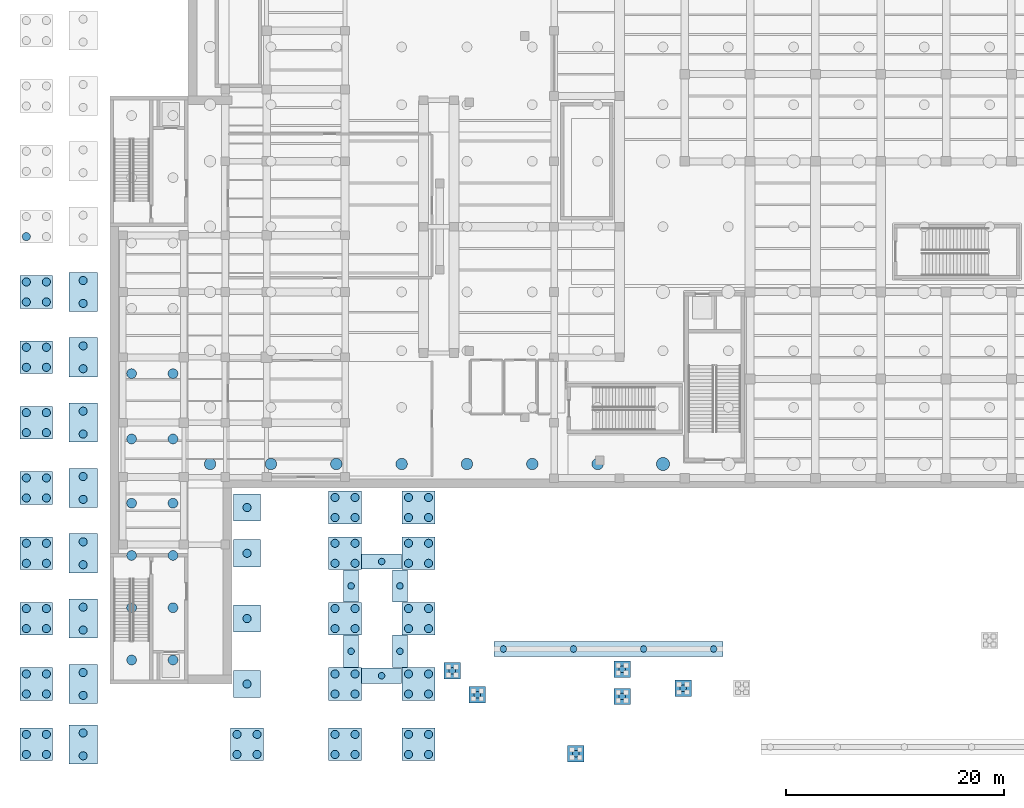
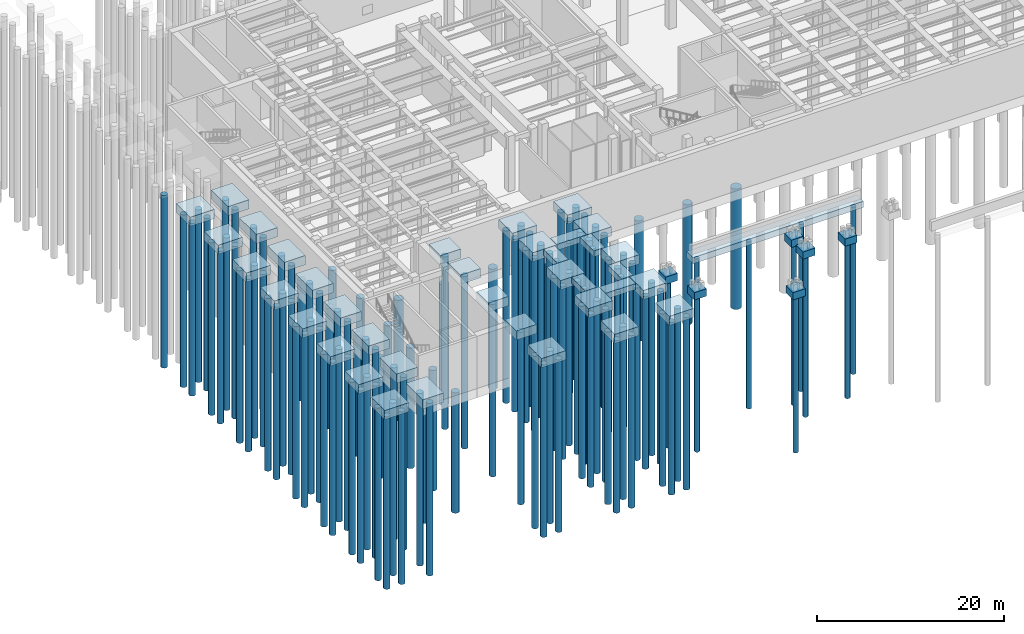
# One storey, part 1 of 30: 133 piles, 44 footings.
"""IFC4 building model written with IfcOpenShell, lengths in metres."""

from ifc_helpers import new_model, si_unit, direction, frame, origin, origin_2d, place, context, subcontext, project, spatial, rectangle, circle, extrude, material, material_profile, profile_set, type_object, element, save


model = new_model("IFC4")

# Units and contexts
model_context = context("Model", 3, precision=1e-05, world=origin(), true_north=direction((0.0, 1.0)))
body_context = subcontext(model_context, "Body", "Model", "MODEL_VIEW")
ifc_project = project(units=[si_unit("LENGTHUNIT", "METRE"), si_unit("AREAUNIT", "SQUARE_METRE"), si_unit("VOLUMEUNIT", "CUBIC_METRE"), si_unit("PLANEANGLEUNIT", "RADIAN"), si_unit("MASSUNIT", "GRAM", prefix="KILO")], contexts=[model_context])

# Site, building, storey
site_placement = place(None, origin())
site = spatial("IfcSite", under=ifc_project, at=site_placement, CompositionType="ELEMENT")
building_placement = place(site_placement, origin())
building = spatial("IfcBuilding", under=site, at=building_placement, Name="Kolvaren Corner Interchange", CompositionType="ELEMENT")
storey_placement = place(building_placement, frame((0.0, 0.0, -7.199951171875)))
storey = spatial("IfcBuildingStorey", under=building, at=storey_placement, Name="B1", CompositionType="ELEMENT", Elevation=-7.199951171875)

# Footings
ifc_material_1 = material(Name="Concrete C40/50", Category="concrete")
footing_type_1 = type_object("IfcFootingType", Name="FC-3P", PredefinedType="PILE_CAP", material=ifc_material_1)
for number, where, z_axis, x_axis, name in (
    (1, (4.75, 0.449951171875, 5.60009765625), (0.0, 0.0, 1.0), (1.0, 0.0, 0.0), "Reinforced Concrete Foundation Pile Cap 016"),
    (2, (4.75, 6.0, 5.60009765625), (0.0, 0.0, 1.0), (1.0, 0.0, 0.0), "Reinforced Concrete Foundation Pile Cap 017"),
    (3, (4.75, 12.0, 5.60009765625), (0.0, 0.0, 1.0), (1.0, 0.0, 0.0), "Reinforced Concrete Foundation Pile Cap 018"),
    (4, (4.75, 18.0, 5.60009765625), (0.0, 0.0, 1.0), (1.0, 0.0, 0.0), "Reinforced Concrete Foundation Pile Cap 019"),
    (5, (4.75, 24.0, 5.60009765625), (0.0, 0.0, 1.0), (1.0, 0.0, 0.0), "Reinforced Concrete Foundation Pile Cap 020"),
    (6, (4.75, 30.0, 5.60009765625), (0.0, 0.0, 1.0), (1.0, 0.0, 0.0), "Reinforced Concrete Foundation Pile Cap 021"),
    (7, (4.75, 36.0, 5.60009765625), (0.0, 0.0, 1.0), (1.0, 0.0, 0.0), "Reinforced Concrete Foundation Pile Cap 022"),
    (8, (4.75, 42.0, 5.60009765625), (0.0, 0.0, 1.0), (1.0, 0.0, 0.0), "Reinforced Concrete Foundation Pile Cap 023"),
):
    element("IfcFooting", number, at=place(storey_placement, frame(where, z_axis=z_axis, x_axis=x_axis)), inside=storey, type_object=footing_type_1, Name=name, PredefinedType="PILE_CAP", context=body_context, shape_type="SweptSolid", body=[
        extrude(rectangle(XDim=2.60009765625, YDim=3.60009765625, at=origin_2d()), origin(), (0.0, 0.0, 1.0), 1.199951171875),
    ])
ifc_material_2 = material(Name="Concrete C40/50", Category="concrete")
footing_type_2 = type_object("IfcFootingType", Name="FC-4P", PredefinedType="PILE_CAP", material=ifc_material_2)
for number, where, z_axis, x_axis, name in (
    (9, (0.449951171875, 0.449951171875, 5.60009765625), (0.0, 0.0, 1.0), (1.0, 0.0, 0.0), "Reinforced Concrete Foundation Pile Cap 001"),
    (10, (0.449951171875, 6.0, 5.60009765625), (0.0, 0.0, 1.0), (1.0, 0.0, 0.0), "Reinforced Concrete Foundation Pile Cap 002"),
    (11, (0.449951171875, 12.0, 5.60009765625), (0.0, 0.0, 1.0), (1.0, 0.0, 0.0), "Reinforced Concrete Foundation Pile Cap 003"),
    (12, (0.449951171875, 18.0, 5.60009765625), (0.0, 0.0, 1.0), (1.0, 0.0, 0.0), "Reinforced Concrete Foundation Pile Cap 004"),
    (13, (0.449951171875, 24.0, 5.60009765625), (0.0, 0.0, 1.0), (1.0, 0.0, 0.0), "Reinforced Concrete Foundation Pile Cap 005"),
    (14, (0.449951171875, 30.0, 5.60009765625), (0.0, 0.0, 1.0), (1.0, 0.0, 0.0), "Reinforced Concrete Foundation Pile Cap 006"),
    (15, (0.449951171875, 36.0, 5.60009765625), (0.0, 0.0, 1.0), (1.0, 0.0, 0.0), "Reinforced Concrete Foundation Pile Cap 007"),
    (16, (0.449951171875, 42.0, 5.60009765625), (0.0, 0.0, 1.0), (1.0, 0.0, 0.0), "Reinforced Concrete Foundation Pile Cap 008"),
    (17, (19.800048828125, 0.449951171875, 5.60009765625), (0.0, 0.0, 1.0), (1.0, 0.0, 0.0), "Reinforced Concrete Foundation Pile Cap 031"),
    (18, (28.800048828125, 0.449951171875, 5.60009765625), (0.0, 0.0, 1.0), (1.0, 0.0, 0.0), "Reinforced Concrete Foundation Pile Cap 036"),
    (19, (28.800048828125, 6.0, 5.60009765625), (0.0, 0.0, 1.0), (1.0, 0.0, 0.0), "Reinforced Concrete Foundation Pile Cap 037"),
    (20, (28.800048828125, 12.0, 5.60009765625), (0.0, 0.0, 1.0), (1.0, 0.0, 0.0), "Reinforced Concrete Foundation Pile Cap 038"),
    (21, (28.800048828125, 18.0, 5.60009765625), (0.0, 0.0, 1.0), (1.0, 0.0, 0.0), "Reinforced Concrete Foundation Pile Cap 039"),
    (22, (28.800048828125, 22.199951171875, 5.60009765625), (0.0, 0.0, 1.0), (1.0, 0.0, 0.0), "Reinforced Concrete Foundation Pile Cap 040"),
    (23, (35.550048828125, 0.449951171875, 5.60009765625), (0.0, 0.0, 1.0), (1.0, 0.0, 0.0), "Reinforced Concrete Foundation Pile Cap 041"),
    (24, (35.550048828125, 6.0, 5.60009765625), (0.0, 0.0, 1.0), (1.0, 0.0, 0.0), "Reinforced Concrete Foundation Pile Cap 042"),
    (25, (35.550048828125, 12.0, 5.60009765625), (0.0, 0.0, 1.0), (1.0, 0.0, 0.0), "Reinforced Concrete Foundation Pile Cap 043"),
    (26, (35.550048828125, 18.0, 5.60009765625), (0.0, 0.0, 1.0), (1.0, 0.0, 0.0), "Reinforced Concrete Foundation Pile Cap 044"),
    (27, (35.550048828125, 22.199951171875, 5.60009765625), (0.0, 0.0, 1.0), (1.0, 0.0, 0.0), "Reinforced Concrete Foundation Pile Cap 045"),
):
    element("IfcFooting", number, at=place(storey_placement, frame(where, z_axis=z_axis, x_axis=x_axis)), inside=storey, type_object=footing_type_2, Name=name, PredefinedType="PILE_CAP", context=body_context, shape_type="SweptSolid", body=[
        extrude(rectangle(XDim=3.0, YDim=3.0, at=origin_2d()), origin(), (0.0, 0.0, 1.0), 1.199951171875),
    ])
ifc_material_3 = material(Name="Concrete C40/50", Category="concrete")
footing_type_3 = type_object("IfcFootingType", Name="FD-PAD2", PredefinedType="PAD_FOOTING", material=ifc_material_3)
for number, where, z_axis, x_axis, name in (
    (28, (19.800048828125, 6.0, 5.60009765625), (0.0, 0.0, 1.0), (1.0, 0.0, 0.0), "Reinforced Concrete Foundation Pile Cap 032"),
    (29, (19.800048828125, 12.0, 5.60009765625), (0.0, 0.0, 1.0), (1.0, 0.0, 0.0), "Reinforced Concrete Foundation Pile Cap 033"),
    (30, (19.800048828125, 18.0, 5.60009765625), (0.0, 0.0, 1.0), (1.0, 0.0, 0.0), "Reinforced Concrete Foundation Pile Cap 034"),
    (31, (19.800048828125, 22.199951171875, 5.60009765625), (0.0, 0.0, 1.0), (1.0, 0.0, 0.0), "Reinforced Concrete Foundation Pile Cap 035"),
):
    element("IfcFooting", number, at=place(storey_placement, frame(where, z_axis=z_axis, x_axis=x_axis)), inside=storey, type_object=footing_type_3, Name=name, PredefinedType="PAD_FOOTING", context=body_context, shape_type="SweptSolid", body=[
        extrude(rectangle(XDim=2.5, YDim=2.5, at=origin_2d()), origin(), (0.0, 0.0, 1.0), 1.199951171875),
    ])
ifc_material_4 = material(Name="Concrete C40/50", Category="concrete")
footing_type_4 = type_object("IfcFootingType", Name="FD-PAD4", PredefinedType="PAD_FOOTING", material=ifc_material_4)
for number, where, z_axis, x_axis, name in (
    (32, (50.0, -0.39990234375, 3.669921875), (0.0, 0.0, 1.0), (1.0, 0.0, 0.0), "Reinforced Concrete Foundation Pile Cap 141"),
    (33, (59.85009765625, 5.60009765625, 3.56005859375), (0.0, 0.0, 1.0), (1.0, 0.0, 0.0), "Reinforced Concrete Foundation Pile Cap 143"),
    (34, (38.64990234375, 7.199951171875, 5.06005859375), (0.0, 0.0, 1.0), (1.0, 0.0, 0.0), "Reinforced Concrete Foundation Pile Cap 147"),
    (35, (40.949951171875, 5.0, 3.56005859375), (0.0, 0.0, 1.0), (1.0, 0.0, 0.0), "Reinforced Concrete Foundation Pile Cap 148"),
    (36, (54.25, 4.85009765625, 4.31005859375), (0.0, 0.0, 1.0), (1.0, 0.0, 0.0), "Reinforced Concrete Foundation Pile Cap 149"),
    (37, (54.25, 7.35009765625, 4.31005859375), (0.0, 0.0, 1.0), (1.0, 0.0, 0.0), "Reinforced Concrete Foundation Pile Cap 150"),
):
    element("IfcFooting", number, at=place(storey_placement, frame(where, z_axis=z_axis, x_axis=x_axis)), inside=storey, type_object=footing_type_4, Name=name, PredefinedType="PAD_FOOTING", context=body_context, shape_type="SweptSolid", body=[
        extrude(rectangle(XDim=1.5, YDim=1.5, at=origin_2d()), origin(), (0.0, 0.0, 1.0), 0.949951171875),
    ])
ifc_material_5 = material(Name="Concrete C40/50", Category="concrete")
ifc_material_profile_1 = material_profile(ifc_material_5, rectangle(XDim=1.39990234375, YDim=0.800048828125, at=origin_2d()), Name="STRIP 1400x800")
ifc_profile_set_1 = profile_set([ifc_material_profile_1], Name="Concrete C40/50")
footing_type_5 = type_object("IfcFootingType", Name="FS-STRIP1", PredefinedType="STRIP_FOOTING", material=ifc_profile_set_1)
footing_placement = place(storey_placement, frame((42.5, 9.2099609375, 5.300048828125), z_axis=(1.0, 0.0, 0.0), x_axis=(0.0, 1.0, 0.0)))
element("IfcFooting", 38, at=footing_placement, inside=storey, type_object=footing_type_5, Name="Southwest Forecourt Ramp Plinth Strip Footing", PredefinedType="STRIP_FOOTING", context=body_context, shape_type="SweptSolid", body=[
    extrude(rectangle(XDim=1.39990234375, YDim=0.800048828125, at=origin_2d()), origin(), (0.0, 0.0, 1.0), 21.0),
])
for number, where, z_axis, x_axis, name in (
    (39, (30.320068359375, 6.7548828125, 6.39990234375), (1.0, 0.0, 0.0), (0.0, 1.0, 0.0), "Operations South Bar Protected Exit Stair South Strip Footing"),
    (40, (30.320068359375, 17.2451171875, 6.39990234375), (1.0, 0.0, 0.0), (0.0, 1.0, 0.0), "Operations South Bar Protected Exit Stair North Strip Footing"),
):
    element("IfcFooting", number, at=place(storey_placement, frame(where, z_axis=z_axis, x_axis=x_axis)), inside=storey, type_object=footing_type_5, Name=name, PredefinedType="STRIP_FOOTING", context=body_context, shape_type="SweptSolid", body=[
        extrude(rectangle(XDim=1.39990234375, YDim=0.800048828125, at=origin_2d()), origin(), (0.0, 0.0, 1.0), 3.679931640625),
    ])
for number, where, z_axis, x_axis, name in (
    (41, (29.35498046875, 7.52001953125, 6.39990234375), (0.0, 1.0, 0.0), (-1.0, 0.0, 0.0), "Operations South Bar Protected Exit Stair West Strip Footing Segment 1"),
    (42, (29.35498046875, 13.52001953125, 6.39990234375), (0.0, 1.0, 0.0), (-1.0, 0.0, 0.0), "Operations South Bar Protected Exit Stair West Strip Footing Segment 2"),
    (43, (33.844970703125, 7.52001953125, 6.39990234375), (0.0, 1.0, 0.0), (-1.0, 0.0, 0.0), "Operations South Bar Protected Exit Stair East Strip Footing Segment 1"),
    (44, (33.844970703125, 13.52001953125, 6.39990234375), (0.0, 1.0, 0.0), (-1.0, 0.0, 0.0), "Operations South Bar Protected Exit Stair East Strip Footing Segment 2"),
):
    element("IfcFooting", number, at=place(storey_placement, frame(where, z_axis=z_axis, x_axis=x_axis)), inside=storey, type_object=footing_type_5, Name=name, PredefinedType="STRIP_FOOTING", context=body_context, shape_type="SweptSolid", body=[
        extrude(rectangle(XDim=1.39990234375, YDim=0.800048828125, at=origin_2d()), origin(), (0.0, 0.0, 1.0), 2.9599609375),
    ])

# Piles
ifc_material_6 = material(Name="Concrete C40/50", Category="concrete")
ifc_material_profile_2 = material_profile(ifc_material_6, circle(Radius=0.52490234375, at=origin_2d()), Name="BORED PILE 1050")
ifc_profile_set_2 = profile_set([ifc_material_profile_2], Name="Concrete C40/50")
pile_type_1 = type_object("IfcPileType", Name="PILE-BP1050", PredefinedType="BORED", material=ifc_profile_set_2)
for number, where, z_axis, x_axis, name in (
    (45, (16.39990234375, 26.199951171875, -1.10009765625), (0.0, 0.0, -1.0), (1.0, 0.0, 0.0), "Metro Base Raft Rotary Bored Pile 0001"),
    (46, (22.0, 26.199951171875, -1.10009765625), (0.0, 0.0, -1.0), (1.0, 0.0, 0.0), "Metro Base Raft Rotary Bored Pile 0010"),
    (47, (28.0, 26.199951171875, -1.10009765625), (0.0, 0.0, -1.0), (1.0, 0.0, 0.0), "Metro Base Raft Rotary Bored Pile 0019"),
    (48, (34.0, 26.199951171875, -1.10009765625), (0.0, 0.0, -1.0), (1.0, 0.0, 0.0), "Metro Base Raft Rotary Bored Pile 0028"),
    (49, (40.0, 26.199951171875, -1.10009765625), (0.0, 0.0, -1.0), (1.0, 0.0, 0.0), "Metro Base Raft Rotary Bored Pile 0037"),
    (50, (46.0, 26.199951171875, -1.10009765625), (0.0, 0.0, -1.0), (1.0, 0.0, 0.0), "Metro Base Raft Rotary Bored Pile 0046"),
    (51, (52.0, 26.199951171875, -1.10009765625), (0.0, 0.0, -1.0), (1.0, 0.0, 0.0), "Metro Base Raft Rotary Bored Pile 0055"),
):
    element("IfcPile", number, at=place(storey_placement, frame(where, z_axis=z_axis, x_axis=x_axis)), inside=storey, type_object=pile_type_1, Name=name, PredefinedType="BORED", context=body_context, shape_type="SweptSolid", body=[
        extrude(circle(Radius=0.52490234375, at=origin_2d()), origin(), (0.0, 0.0, 1.0), 15.699951171875),
    ])
ifc_material_7 = material(Name="Concrete C40/50", Category="concrete")
ifc_material_profile_3 = material_profile(ifc_material_7, circle(Radius=0.60009765625, at=origin_2d()), Name="BORED PILE 1200")
ifc_profile_set_3 = profile_set([ifc_material_profile_3], Name="Concrete C40/50")
pile_type_2 = type_object("IfcPileType", Name="PILE-BP1200", PredefinedType="BORED", material=ifc_profile_set_3)
pile_1_placement = place(storey_placement, frame((58.0, 26.199951171875, -1.10009765625), z_axis=(0.0, 0.0, -1.0), x_axis=(1.0, 0.0, 0.0)))
element("IfcPile", 52, at=pile_1_placement, inside=storey, type_object=pile_type_2, Name="Metro Base Raft Rotary Bored Pile 0064", PredefinedType="BORED", context=body_context, shape_type="SweptSolid", body=[
    extrude(circle(Radius=0.60009765625, at=origin_2d()), origin(), (0.0, 0.0, 1.0), 15.699951171875),
])
ifc_material_8 = material(Name="Concrete C40/50", Category="concrete")
ifc_material_profile_4 = material_profile(ifc_material_8, circle(Radius=0.300048828125, at=origin_2d()), Name="BORED PILE 600")
ifc_profile_set_4 = profile_set([ifc_material_profile_4], Name="Concrete C40/50")
pile_type_3 = type_object("IfcPileType", Name="PILE-BP600", PredefinedType="BORED", material=ifc_profile_set_4)
for number, where, z_axis, x_axis, name in (
    (53, (43.35009765625, 9.2099609375, 5.0), (0.0, 0.0, -1.0), (1.0, 0.0, 0.0), "Southwest Forecourt Ramp Plinth Strip Footing Bored Pile 022"),
    (54, (49.783203125, 9.2099609375, 5.0), (0.0, 0.0, -1.0), (1.0, 0.0, 0.0), "Southwest Forecourt Ramp Plinth Strip Footing Bored Pile 023"),
    (55, (56.216796875, 9.2099609375, 5.0), (0.0, 0.0, -1.0), (1.0, 0.0, 0.0), "Southwest Forecourt Ramp Plinth Strip Footing Bored Pile 024"),
    (56, (62.64990234375, 9.2099609375, 5.0), (0.0, 0.0, -1.0), (1.0, 0.0, 0.0), "Southwest Forecourt Ramp Plinth Strip Footing Bored Pile 025"),
):
    element("IfcPile", number, at=place(storey_placement, frame(where, z_axis=z_axis, x_axis=x_axis)), inside=storey, type_object=pile_type_3, Name=name, PredefinedType="BORED", context=body_context, shape_type="SweptSolid", body=[
        extrude(circle(Radius=0.300048828125, at=origin_2d()), origin(), (0.0, 0.0, 1.0), 21.800048828125),
    ])
for number, where, z_axis, x_axis, name in (
    (57, (32.159912109375, 6.7548828125, 6.099853515625), (0.0, 0.0, -1.0), (1.0, 0.0, 0.0), "Operations South Bar Protected Exit Stair South Bored Pile 001"),
    (58, (32.159912109375, 17.2451171875, 6.099853515625), (0.0, 0.0, -1.0), (1.0, 0.0, 0.0), "Operations South Bar Protected Exit Stair North Bored Pile 002"),
    (59, (29.35498046875, 9.0, 6.099853515625), (0.0, 0.0, -1.0), (1.0, 0.0, 0.0), "Operations South Bar Protected Exit Stair West Bored Pile 003"),
    (60, (29.35498046875, 15.0, 6.099853515625), (0.0, 0.0, -1.0), (1.0, 0.0, 0.0), "Operations South Bar Protected Exit Stair West Bored Pile 004"),
    (61, (33.844970703125, 9.0, 6.099853515625), (0.0, 0.0, -1.0), (1.0, 0.0, 0.0), "Operations South Bar Protected Exit Stair East Bored Pile 005"),
    (62, (33.844970703125, 15.0, 6.099853515625), (0.0, 0.0, -1.0), (1.0, 0.0, 0.0), "Operations South Bar Protected Exit Stair East Bored Pile 006"),
):
    element("IfcPile", number, at=place(storey_placement, frame(where, z_axis=z_axis, x_axis=x_axis)), inside=storey, type_object=pile_type_3, Name=name, PredefinedType="BORED", context=body_context, shape_type="SweptSolid", body=[
        extrude(circle(Radius=0.300048828125, at=origin_2d()), origin(), (0.0, 0.0, 1.0), 22.89990234375),
    ])
pile_2_placement = place(storey_placement, frame((50.0, -0.39990234375, 3.77001953125), z_axis=(0.0, 0.0, -1.0), x_axis=(1.0, 0.0, 0.0)))
element("IfcPile", 63, at=pile_2_placement, inside=storey, type_object=pile_type_3, Name="Pile Cap Rotary Bored Pile 0518", PredefinedType="BORED", context=body_context, shape_type="SweptSolid", body=[
    extrude(circle(Radius=0.300048828125, at=origin_2d()), origin(), (0.0, 0.0, 1.0), 20.570068359375),
])
pile_3_placement = place(storey_placement, frame((59.85009765625, 5.60009765625, 3.659912109375), z_axis=(0.0, 0.0, -1.0), x_axis=(1.0, 0.0, 0.0)))
element("IfcPile", 64, at=pile_3_placement, inside=storey, type_object=pile_type_3, Name="Pile Cap Rotary Bored Pile 0520", PredefinedType="BORED", context=body_context, shape_type="SweptSolid", body=[
    extrude(circle(Radius=0.300048828125, at=origin_2d()), origin(), (0.0, 0.0, 1.0), 20.4599609375),
])
pile_4_placement = place(storey_placement, frame((38.64990234375, 7.199951171875, 5.159912109375), z_axis=(0.0, 0.0, -1.0), x_axis=(1.0, 0.0, 0.0)))
element("IfcPile", 65, at=pile_4_placement, inside=storey, type_object=pile_type_3, Name="Pile Cap Rotary Bored Pile 0524", PredefinedType="BORED", context=body_context, shape_type="SweptSolid", body=[
    extrude(circle(Radius=0.300048828125, at=origin_2d()), origin(), (0.0, 0.0, 1.0), 21.9599609375),
])
pile_5_placement = place(storey_placement, frame((40.949951171875, 5.0, 3.659912109375), z_axis=(0.0, 0.0, -1.0), x_axis=(1.0, 0.0, 0.0)))
element("IfcPile", 66, at=pile_5_placement, inside=storey, type_object=pile_type_3, Name="Pile Cap Rotary Bored Pile 0525", PredefinedType="BORED", context=body_context, shape_type="SweptSolid", body=[
    extrude(circle(Radius=0.300048828125, at=origin_2d()), origin(), (0.0, 0.0, 1.0), 20.4599609375),
])
for number, where, z_axis, x_axis, name in (
    (67, (54.25, 4.85009765625, 4.409912109375), (0.0, 0.0, -1.0), (1.0, 0.0, 0.0), "Pile Cap Rotary Bored Pile 0526"),
    (68, (54.25, 7.35009765625, 4.409912109375), (0.0, 0.0, -1.0), (1.0, 0.0, 0.0), "Pile Cap Rotary Bored Pile 0527"),
):
    element("IfcPile", number, at=place(storey_placement, frame(where, z_axis=z_axis, x_axis=x_axis)), inside=storey, type_object=pile_type_3, Name=name, PredefinedType="BORED", context=body_context, shape_type="SweptSolid", body=[
        extrude(circle(Radius=0.300048828125, at=origin_2d()), origin(), (0.0, 0.0, 1.0), 21.2099609375),
    ])
ifc_material_9 = material(Name="Concrete C40/50", Category="concrete")
ifc_material_profile_5 = material_profile(ifc_material_9, circle(Radius=0.375, at=origin_2d()), Name="BORED PILE 750")
ifc_profile_set_5 = profile_set([ifc_material_profile_5], Name="Concrete C40/50")
pile_type_4 = type_object("IfcPileType", Name="PILE-BP750", PredefinedType="BORED", material=ifc_profile_set_5)
for number, where, z_axis, x_axis, name in (
    (69, (-0.469970703125, -0.469970703125, 5.699951171875), (0.0, 0.0, -1.0), (1.0, 0.0, 0.0), "Pile Cap Rotary Bored Pile 0001"),
    (70, (1.3701171875, -0.469970703125, 5.699951171875), (0.0, 0.0, -1.0), (1.0, 0.0, 0.0), "Pile Cap Rotary Bored Pile 0002"),
    (71, (-0.469970703125, 1.3701171875, 5.699951171875), (0.0, 0.0, -1.0), (1.0, 0.0, 0.0), "Pile Cap Rotary Bored Pile 0003"),
    (72, (1.3701171875, 1.3701171875, 5.699951171875), (0.0, 0.0, -1.0), (1.0, 0.0, 0.0), "Pile Cap Rotary Bored Pile 0004"),
    (73, (-0.469970703125, 5.080078125, 5.699951171875), (0.0, 0.0, -1.0), (1.0, 0.0, 0.0), "Pile Cap Rotary Bored Pile 0005"),
    (74, (1.3701171875, 5.080078125, 5.699951171875), (0.0, 0.0, -1.0), (1.0, 0.0, 0.0), "Pile Cap Rotary Bored Pile 0006"),
    (75, (-0.469970703125, 6.919921875, 5.699951171875), (0.0, 0.0, -1.0), (1.0, 0.0, 0.0), "Pile Cap Rotary Bored Pile 0007"),
    (76, (1.3701171875, 6.919921875, 5.699951171875), (0.0, 0.0, -1.0), (1.0, 0.0, 0.0), "Pile Cap Rotary Bored Pile 0008"),
    (77, (-0.469970703125, 11.080078125, 5.699951171875), (0.0, 0.0, -1.0), (1.0, 0.0, 0.0), "Pile Cap Rotary Bored Pile 0009"),
    (78, (1.3701171875, 11.080078125, 5.699951171875), (0.0, 0.0, -1.0), (1.0, 0.0, 0.0), "Pile Cap Rotary Bored Pile 0010"),
    (79, (-0.469970703125, 12.919921875, 5.699951171875), (0.0, 0.0, -1.0), (1.0, 0.0, 0.0), "Pile Cap Rotary Bored Pile 0011"),
    (80, (1.3701171875, 12.919921875, 5.699951171875), (0.0, 0.0, -1.0), (1.0, 0.0, 0.0), "Pile Cap Rotary Bored Pile 0012"),
    (81, (-0.469970703125, 17.080078125, 5.699951171875), (0.0, 0.0, -1.0), (1.0, 0.0, 0.0), "Pile Cap Rotary Bored Pile 0013"),
    (82, (1.3701171875, 17.080078125, 5.699951171875), (0.0, 0.0, -1.0), (1.0, 0.0, 0.0), "Pile Cap Rotary Bored Pile 0014"),
    (83, (-0.469970703125, 18.919921875, 5.699951171875), (0.0, 0.0, -1.0), (1.0, 0.0, 0.0), "Pile Cap Rotary Bored Pile 0015"),
    (84, (1.3701171875, 18.919921875, 5.699951171875), (0.0, 0.0, -1.0), (1.0, 0.0, 0.0), "Pile Cap Rotary Bored Pile 0016"),
    (85, (-0.469970703125, 23.080078125, 5.699951171875), (0.0, 0.0, -1.0), (1.0, 0.0, 0.0), "Pile Cap Rotary Bored Pile 0017"),
    (86, (1.3701171875, 23.080078125, 5.699951171875), (0.0, 0.0, -1.0), (1.0, 0.0, 0.0), "Pile Cap Rotary Bored Pile 0018"),
    (87, (-0.469970703125, 24.919921875, 5.699951171875), (0.0, 0.0, -1.0), (1.0, 0.0, 0.0), "Pile Cap Rotary Bored Pile 0019"),
    (88, (1.3701171875, 24.919921875, 5.699951171875), (0.0, 0.0, -1.0), (1.0, 0.0, 0.0), "Pile Cap Rotary Bored Pile 0020"),
    (89, (-0.469970703125, 29.080078125, 5.699951171875), (0.0, 0.0, -1.0), (1.0, 0.0, 0.0), "Pile Cap Rotary Bored Pile 0021"),
    (90, (1.3701171875, 29.080078125, 5.699951171875), (0.0, 0.0, -1.0), (1.0, 0.0, 0.0), "Pile Cap Rotary Bored Pile 0022"),
    (91, (-0.469970703125, 30.919921875, 5.699951171875), (0.0, 0.0, -1.0), (1.0, 0.0, 0.0), "Pile Cap Rotary Bored Pile 0023"),
    (92, (1.3701171875, 30.919921875, 5.699951171875), (0.0, 0.0, -1.0), (1.0, 0.0, 0.0), "Pile Cap Rotary Bored Pile 0024"),
    (93, (-0.469970703125, 35.080078125, 5.699951171875), (0.0, 0.0, -1.0), (1.0, 0.0, 0.0), "Pile Cap Rotary Bored Pile 0025"),
    (94, (1.3701171875, 35.080078125, 5.699951171875), (0.0, 0.0, -1.0), (1.0, 0.0, 0.0), "Pile Cap Rotary Bored Pile 0026"),
    (95, (-0.469970703125, 36.919921875, 5.699951171875), (0.0, 0.0, -1.0), (1.0, 0.0, 0.0), "Pile Cap Rotary Bored Pile 0027"),
    (96, (1.3701171875, 36.919921875, 5.699951171875), (0.0, 0.0, -1.0), (1.0, 0.0, 0.0), "Pile Cap Rotary Bored Pile 0028"),
    (97, (-0.469970703125, 41.080078125, 5.699951171875), (0.0, 0.0, -1.0), (1.0, 0.0, 0.0), "Pile Cap Rotary Bored Pile 0029"),
    (98, (1.3701171875, 41.080078125, 5.699951171875), (0.0, 0.0, -1.0), (1.0, 0.0, 0.0), "Pile Cap Rotary Bored Pile 0030"),
    (99, (-0.469970703125, 42.919921875, 5.699951171875), (0.0, 0.0, -1.0), (1.0, 0.0, 0.0), "Pile Cap Rotary Bored Pile 0031"),
    (100, (1.3701171875, 42.919921875, 5.699951171875), (0.0, 0.0, -1.0), (1.0, 0.0, 0.0), "Pile Cap Rotary Bored Pile 0032"),
    (101, (-0.469970703125, 47.080078125, 5.699951171875), (0.0, 0.0, -1.0), (1.0, 0.0, 0.0), "Pile Cap Rotary Bored Pile 0033"),
    (102, (4.75, -0.60009765625, 5.699951171875), (0.0, 0.0, -1.0), (1.0, 0.0, 0.0), "Pile Cap Rotary Bored Pile 0061"),
    (103, (4.75, 1.5, 5.699951171875), (0.0, 0.0, -1.0), (1.0, 0.0, 0.0), "Pile Cap Rotary Bored Pile 0062"),
    (104, (4.75, 4.949951171875, 5.699951171875), (0.0, 0.0, -1.0), (1.0, 0.0, 0.0), "Pile Cap Rotary Bored Pile 0063"),
    (105, (4.75, 7.050048828125, 5.699951171875), (0.0, 0.0, -1.0), (1.0, 0.0, 0.0), "Pile Cap Rotary Bored Pile 0064"),
    (106, (4.75, 10.949951171875, 5.699951171875), (0.0, 0.0, -1.0), (1.0, 0.0, 0.0), "Pile Cap Rotary Bored Pile 0065"),
    (107, (4.75, 13.050048828125, 5.699951171875), (0.0, 0.0, -1.0), (1.0, 0.0, 0.0), "Pile Cap Rotary Bored Pile 0066"),
    (108, (4.75, 16.949951171875, 5.699951171875), (0.0, 0.0, -1.0), (1.0, 0.0, 0.0), "Pile Cap Rotary Bored Pile 0067"),
    (109, (4.75, 19.050048828125, 5.699951171875), (0.0, 0.0, -1.0), (1.0, 0.0, 0.0), "Pile Cap Rotary Bored Pile 0068"),
    (110, (4.75, 22.949951171875, 5.699951171875), (0.0, 0.0, -1.0), (1.0, 0.0, 0.0), "Pile Cap Rotary Bored Pile 0069"),
    (111, (4.75, 25.050048828125, 5.699951171875), (0.0, 0.0, -1.0), (1.0, 0.0, 0.0), "Pile Cap Rotary Bored Pile 0070"),
    (112, (4.75, 28.949951171875, 5.699951171875), (0.0, 0.0, -1.0), (1.0, 0.0, 0.0), "Pile Cap Rotary Bored Pile 0071"),
    (113, (4.75, 31.050048828125, 5.699951171875), (0.0, 0.0, -1.0), (1.0, 0.0, 0.0), "Pile Cap Rotary Bored Pile 0072"),
    (114, (4.75, 34.949951171875, 5.699951171875), (0.0, 0.0, -1.0), (1.0, 0.0, 0.0), "Pile Cap Rotary Bored Pile 0073"),
    (115, (4.75, 37.050048828125, 5.699951171875), (0.0, 0.0, -1.0), (1.0, 0.0, 0.0), "Pile Cap Rotary Bored Pile 0074"),
    (116, (4.75, 40.949951171875, 5.699951171875), (0.0, 0.0, -1.0), (1.0, 0.0, 0.0), "Pile Cap Rotary Bored Pile 0075"),
    (117, (4.75, 43.050048828125, 5.699951171875), (0.0, 0.0, -1.0), (1.0, 0.0, 0.0), "Pile Cap Rotary Bored Pile 0076"),
    (118, (18.8798828125, -0.469970703125, 5.699951171875), (0.0, 0.0, -1.0), (1.0, 0.0, 0.0), "Pile Cap Rotary Bored Pile 0091"),
    (119, (20.719970703125, -0.469970703125, 5.699951171875), (0.0, 0.0, -1.0), (1.0, 0.0, 0.0), "Pile Cap Rotary Bored Pile 0092"),
    (120, (18.8798828125, 1.3701171875, 5.699951171875), (0.0, 0.0, -1.0), (1.0, 0.0, 0.0), "Pile Cap Rotary Bored Pile 0093"),
    (121, (20.719970703125, 1.3701171875, 5.699951171875), (0.0, 0.0, -1.0), (1.0, 0.0, 0.0), "Pile Cap Rotary Bored Pile 0094"),
    (122, (19.800048828125, 6.0, 5.699951171875), (0.0, 0.0, -1.0), (1.0, 0.0, 0.0), "Pile Cap Rotary Bored Pile 0095"),
    (123, (19.800048828125, 12.0, 5.699951171875), (0.0, 0.0, -1.0), (1.0, 0.0, 0.0), "Pile Cap Rotary Bored Pile 0096"),
    (124, (19.800048828125, 18.0, 5.699951171875), (0.0, 0.0, -1.0), (1.0, 0.0, 0.0), "Pile Cap Rotary Bored Pile 0097"),
    (125, (19.800048828125, 22.199951171875, 5.699951171875), (0.0, 0.0, -1.0), (1.0, 0.0, 0.0), "Pile Cap Rotary Bored Pile 0098"),
    (126, (27.8798828125, -0.469970703125, 5.699951171875), (0.0, 0.0, -1.0), (1.0, 0.0, 0.0), "Pile Cap Rotary Bored Pile 0099"),
    (127, (29.719970703125, -0.469970703125, 5.699951171875), (0.0, 0.0, -1.0), (1.0, 0.0, 0.0), "Pile Cap Rotary Bored Pile 0100"),
    (128, (27.8798828125, 1.3701171875, 5.699951171875), (0.0, 0.0, -1.0), (1.0, 0.0, 0.0), "Pile Cap Rotary Bored Pile 0101"),
    (129, (29.719970703125, 1.3701171875, 5.699951171875), (0.0, 0.0, -1.0), (1.0, 0.0, 0.0), "Pile Cap Rotary Bored Pile 0102"),
    (130, (27.8798828125, 5.080078125, 5.699951171875), (0.0, 0.0, -1.0), (1.0, 0.0, 0.0), "Pile Cap Rotary Bored Pile 0103"),
    (131, (29.719970703125, 5.080078125, 5.699951171875), (0.0, 0.0, -1.0), (1.0, 0.0, 0.0), "Pile Cap Rotary Bored Pile 0104"),
    (132, (27.8798828125, 6.919921875, 5.699951171875), (0.0, 0.0, -1.0), (1.0, 0.0, 0.0), "Pile Cap Rotary Bored Pile 0105"),
    (133, (29.719970703125, 6.919921875, 5.699951171875), (0.0, 0.0, -1.0), (1.0, 0.0, 0.0), "Pile Cap Rotary Bored Pile 0106"),
    (134, (27.8798828125, 11.080078125, 5.699951171875), (0.0, 0.0, -1.0), (1.0, 0.0, 0.0), "Pile Cap Rotary Bored Pile 0107"),
    (135, (29.719970703125, 11.080078125, 5.699951171875), (0.0, 0.0, -1.0), (1.0, 0.0, 0.0), "Pile Cap Rotary Bored Pile 0108"),
    (136, (27.8798828125, 12.919921875, 5.699951171875), (0.0, 0.0, -1.0), (1.0, 0.0, 0.0), "Pile Cap Rotary Bored Pile 0109"),
    (137, (29.719970703125, 12.919921875, 5.699951171875), (0.0, 0.0, -1.0), (1.0, 0.0, 0.0), "Pile Cap Rotary Bored Pile 0110"),
    (138, (27.8798828125, 17.080078125, 5.699951171875), (0.0, 0.0, -1.0), (1.0, 0.0, 0.0), "Pile Cap Rotary Bored Pile 0111"),
    (139, (29.719970703125, 17.080078125, 5.699951171875), (0.0, 0.0, -1.0), (1.0, 0.0, 0.0), "Pile Cap Rotary Bored Pile 0112"),
    (140, (27.8798828125, 18.919921875, 5.699951171875), (0.0, 0.0, -1.0), (1.0, 0.0, 0.0), "Pile Cap Rotary Bored Pile 0113"),
    (141, (29.719970703125, 18.919921875, 5.699951171875), (0.0, 0.0, -1.0), (1.0, 0.0, 0.0), "Pile Cap Rotary Bored Pile 0114"),
    (142, (27.8798828125, 21.280029296875, 5.699951171875), (0.0, 0.0, -1.0), (1.0, 0.0, 0.0), "Pile Cap Rotary Bored Pile 0115"),
    (143, (29.719970703125, 21.280029296875, 5.699951171875), (0.0, 0.0, -1.0), (1.0, 0.0, 0.0), "Pile Cap Rotary Bored Pile 0116"),
    (144, (27.8798828125, 23.1201171875, 5.699951171875), (0.0, 0.0, -1.0), (1.0, 0.0, 0.0), "Pile Cap Rotary Bored Pile 0117"),
    (145, (29.719970703125, 23.1201171875, 5.699951171875), (0.0, 0.0, -1.0), (1.0, 0.0, 0.0), "Pile Cap Rotary Bored Pile 0118"),
    (146, (34.6298828125, -0.469970703125, 5.699951171875), (0.0, 0.0, -1.0), (1.0, 0.0, 0.0), "Pile Cap Rotary Bored Pile 0119"),
    (147, (36.469970703125, -0.469970703125, 5.699951171875), (0.0, 0.0, -1.0), (1.0, 0.0, 0.0), "Pile Cap Rotary Bored Pile 0120"),
    (148, (34.6298828125, 1.3701171875, 5.699951171875), (0.0, 0.0, -1.0), (1.0, 0.0, 0.0), "Pile Cap Rotary Bored Pile 0121"),
    (149, (36.469970703125, 1.3701171875, 5.699951171875), (0.0, 0.0, -1.0), (1.0, 0.0, 0.0), "Pile Cap Rotary Bored Pile 0122"),
    (150, (34.6298828125, 5.080078125, 5.699951171875), (0.0, 0.0, -1.0), (1.0, 0.0, 0.0), "Pile Cap Rotary Bored Pile 0123"),
    (151, (36.469970703125, 5.080078125, 5.699951171875), (0.0, 0.0, -1.0), (1.0, 0.0, 0.0), "Pile Cap Rotary Bored Pile 0124"),
    (152, (34.6298828125, 6.919921875, 5.699951171875), (0.0, 0.0, -1.0), (1.0, 0.0, 0.0), "Pile Cap Rotary Bored Pile 0125"),
    (153, (36.469970703125, 6.919921875, 5.699951171875), (0.0, 0.0, -1.0), (1.0, 0.0, 0.0), "Pile Cap Rotary Bored Pile 0126"),
    (154, (34.6298828125, 11.080078125, 5.699951171875), (0.0, 0.0, -1.0), (1.0, 0.0, 0.0), "Pile Cap Rotary Bored Pile 0127"),
    (155, (36.469970703125, 11.080078125, 5.699951171875), (0.0, 0.0, -1.0), (1.0, 0.0, 0.0), "Pile Cap Rotary Bored Pile 0128"),
    (156, (34.6298828125, 12.919921875, 5.699951171875), (0.0, 0.0, -1.0), (1.0, 0.0, 0.0), "Pile Cap Rotary Bored Pile 0129"),
    (157, (36.469970703125, 12.919921875, 5.699951171875), (0.0, 0.0, -1.0), (1.0, 0.0, 0.0), "Pile Cap Rotary Bored Pile 0130"),
    (158, (34.6298828125, 17.080078125, 5.699951171875), (0.0, 0.0, -1.0), (1.0, 0.0, 0.0), "Pile Cap Rotary Bored Pile 0131"),
    (159, (36.469970703125, 17.080078125, 5.699951171875), (0.0, 0.0, -1.0), (1.0, 0.0, 0.0), "Pile Cap Rotary Bored Pile 0132"),
    (160, (34.6298828125, 18.919921875, 5.699951171875), (0.0, 0.0, -1.0), (1.0, 0.0, 0.0), "Pile Cap Rotary Bored Pile 0133"),
    (161, (36.469970703125, 18.919921875, 5.699951171875), (0.0, 0.0, -1.0), (1.0, 0.0, 0.0), "Pile Cap Rotary Bored Pile 0134"),
    (162, (34.6298828125, 21.280029296875, 5.699951171875), (0.0, 0.0, -1.0), (1.0, 0.0, 0.0), "Pile Cap Rotary Bored Pile 0135"),
    (163, (36.469970703125, 21.280029296875, 5.699951171875), (0.0, 0.0, -1.0), (1.0, 0.0, 0.0), "Pile Cap Rotary Bored Pile 0136"),
    (164, (34.6298828125, 23.1201171875, 5.699951171875), (0.0, 0.0, -1.0), (1.0, 0.0, 0.0), "Pile Cap Rotary Bored Pile 0137"),
    (165, (36.469970703125, 23.1201171875, 5.699951171875), (0.0, 0.0, -1.0), (1.0, 0.0, 0.0), "Pile Cap Rotary Bored Pile 0138"),
):
    element("IfcPile", number, at=place(storey_placement, frame(where, z_axis=z_axis, x_axis=x_axis)), inside=storey, type_object=pile_type_4, Name=name, PredefinedType="BORED", context=body_context, shape_type="SweptSolid", body=[
        extrude(circle(Radius=0.375, at=origin_2d()), origin(), (0.0, 0.0, 1.0), 22.5),
    ])
ifc_material_10 = material(Name="Concrete C40/50", Category="concrete")
ifc_material_profile_6 = material_profile(ifc_material_10, circle(Radius=0.449951171875, at=origin_2d()), Name="BORED PILE 900")
ifc_profile_set_6 = profile_set([ifc_material_profile_6], Name="Concrete C40/50")
pile_type_5 = type_object("IfcPileType", Name="PILE-BP900", PredefinedType="BORED", material=ifc_profile_set_6)
for number, where, z_axis, x_axis, name in (
    (166, (9.199951171875, 8.199951171875, -1.10009765625), (0.0, 0.0, -1.0), (1.0, 0.0, 0.0), "West Core Base Raft Rotary Bored Pile 01"),
    (167, (13.0, 8.199951171875, -1.10009765625), (0.0, 0.0, -1.0), (1.0, 0.0, 0.0), "West Core Base Raft Rotary Bored Pile 02"),
    (168, (9.199951171875, 13.0, -1.10009765625), (0.0, 0.0, -1.0), (1.0, 0.0, 0.0), "West Core Base Raft Rotary Bored Pile 03"),
    (169, (13.0, 13.0, -1.10009765625), (0.0, 0.0, -1.0), (1.0, 0.0, 0.0), "West Core Base Raft Rotary Bored Pile 04"),
    (170, (9.199951171875, 17.800048828125, -1.10009765625), (0.0, 0.0, -1.0), (1.0, 0.0, 0.0), "West Core Base Raft Rotary Bored Pile 05"),
    (171, (13.0, 17.800048828125, -1.10009765625), (0.0, 0.0, -1.0), (1.0, 0.0, 0.0), "West Core Base Raft Rotary Bored Pile 06"),
    (172, (9.199951171875, 22.60009765625, -1.10009765625), (0.0, 0.0, -1.0), (1.0, 0.0, 0.0), "West Core Base Raft Rotary Bored Pile 07"),
    (173, (13.0, 22.60009765625, -1.10009765625), (0.0, 0.0, -1.0), (1.0, 0.0, 0.0), "West Core Base Raft Rotary Bored Pile 08"),
    (174, (9.199951171875, 28.5, -1.10009765625), (0.0, 0.0, -1.0), (1.0, 0.0, 0.0), "West Core Base Raft Rotary Bored Pile 09"),
    (175, (13.0, 28.5, -1.10009765625), (0.0, 0.0, -1.0), (1.0, 0.0, 0.0), "West Core Base Raft Rotary Bored Pile 10"),
    (176, (9.199951171875, 34.5, -1.10009765625), (0.0, 0.0, -1.0), (1.0, 0.0, 0.0), "West Core Base Raft Rotary Bored Pile 11"),
    (177, (13.0, 34.5, -1.10009765625), (0.0, 0.0, -1.0), (1.0, 0.0, 0.0), "West Core Base Raft Rotary Bored Pile 12"),
):
    element("IfcPile", number, at=place(storey_placement, frame(where, z_axis=z_axis, x_axis=x_axis)), inside=storey, type_object=pile_type_5, Name=name, PredefinedType="BORED", context=body_context, shape_type="SweptSolid", body=[
        extrude(circle(Radius=0.449951171875, at=origin_2d()), origin(), (0.0, 0.0, 1.0), 15.699951171875),
    ])

save(model, "model.ifc")
